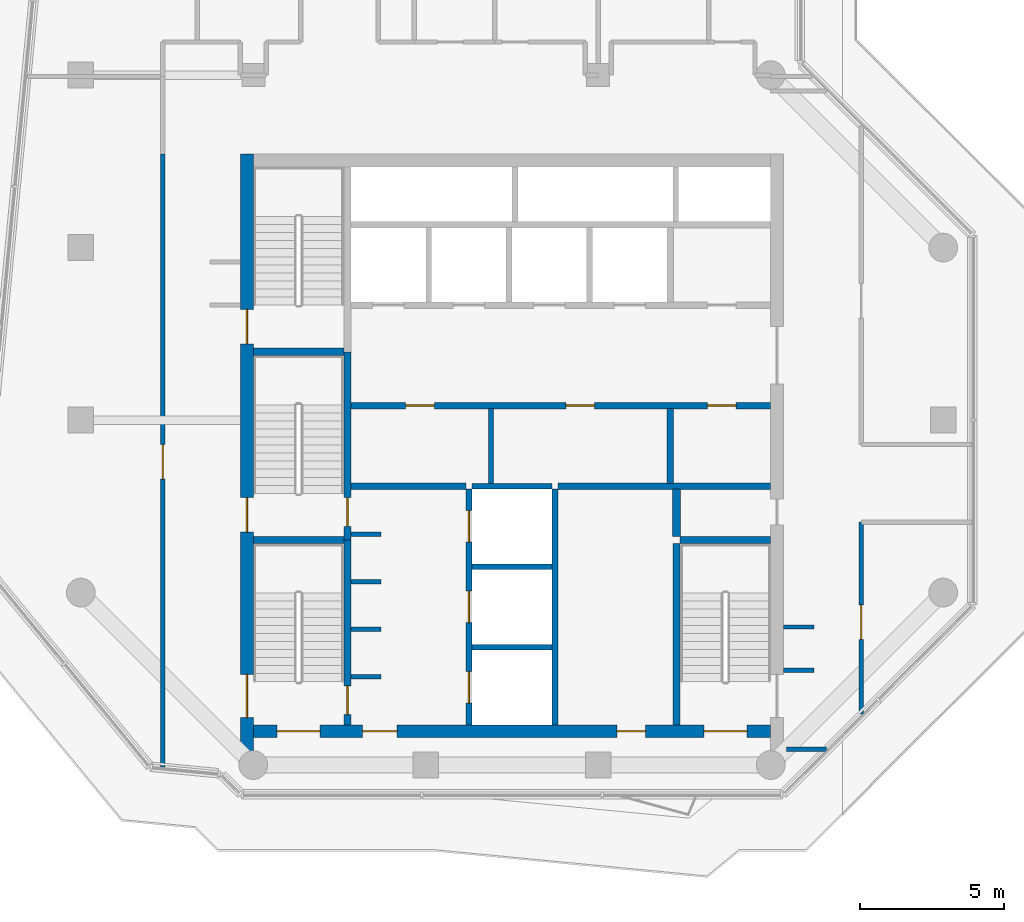
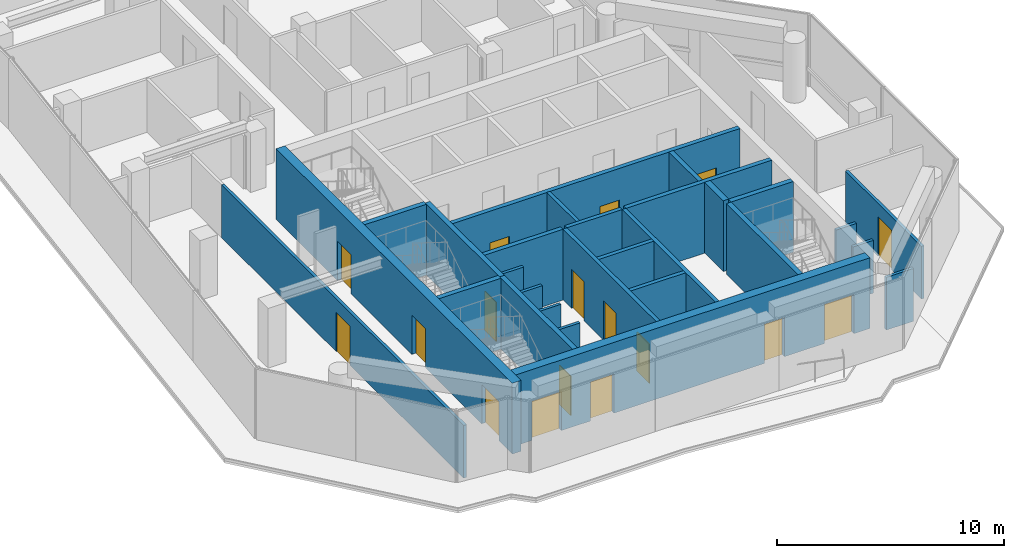
# One storey, part 9 of 13: 28 walls, 17 doors, 17 openings.
"""IFC4 building model written with IfcOpenShell, lengths in metres."""

from ifc_helpers import new_model, si_unit, direction, frame, frame_2d, origin, place, context, subcontext, project, spatial, rectangle, extrude, material, layer, layer_set, type_object, element, fill, save


model = new_model("IFC4")

# Units and contexts
model_context = context("Model", 3, precision=1e-05, world=origin(), true_north=direction((0.0, 1.0)))
body_context = subcontext(model_context, "Body", "Model", "MODEL_VIEW")
ifc_project = project(units=[si_unit("LENGTHUNIT", "METRE"), si_unit("AREAUNIT", "SQUARE_METRE"), si_unit("VOLUMEUNIT", "CUBIC_METRE"), si_unit("PLANEANGLEUNIT", "RADIAN"), si_unit("MASSUNIT", "GRAM", prefix="KILO")], contexts=[model_context])

# Site, building, storey
site_placement = place(None, origin())
site = spatial("IfcSite", under=ifc_project, at=site_placement, CompositionType="ELEMENT")
building_placement = place(site_placement, origin())
building = spatial("IfcBuilding", under=site, at=building_placement, Name="Welwitschia Terrace Campus", CompositionType="ELEMENT")
storey_placement = place(building_placement, frame((0.0, 0.0, 251.60009765625)))
storey = spatial("IfcBuildingStorey", under=building, at=storey_placement, Name="L56", CompositionType="ELEMENT", Elevation=251.60009765625)

# Walls
ifc_material_1 = material(Name="Concrete C32/40", Category="concrete")
ifc_layer_1 = layer(ifc_material_1, 0.175048828125)
ifc_layer_set_1 = layer_set([ifc_layer_1], Name="Concrete C32/40")
wall_type_1 = type_object("IfcWallType", Name="Core partition 175 Concrete C32/40", PredefinedType="PARTITIONING", material=ifc_layer_set_1)
wall_1_placement = place(storey_placement, frame((14.27490234375, 13.800048828125, 0.0), z_axis=(0.0, 0.0, 1.0), x_axis=(0.0, 1.0, 0.0)))
element("IfcWall", 1, at=wall_1_placement, inside=storey, type_object=wall_type_1, Name="Core partition", PredefinedType="PARTITIONING", context=body_context, shape_type="SweptSolid", body=[
    extrude(rectangle(XDim=2.599853515625, YDim=0.175048828125, at=frame_2d((1.2998046875, 0.0))), origin(), (0.0, 0.0, 1.0), 3.7998046875),
])
ifc_material_2 = material(Name="Concrete C32/40", Category="concrete")
ifc_layer_2 = layer(ifc_material_2, 0.22509765625)
ifc_layer_set_2 = layer_set([ifc_layer_2], Name="Concrete C32/40")
wall_type_2 = type_object("IfcWallType", Name="Core partition 225 Concrete C32/40", PredefinedType="PARTITIONING", material=ifc_layer_set_2)
wall_2_placement = place(storey_placement, frame((9.39990234375, 13.699951171875, 0.0), z_axis=(0.0, 0.0, 1.0), x_axis=(1.0, 0.0, 0.0)))
element("IfcWall", 2, at=wall_2_placement, inside=storey, type_object=wall_type_2, Name="Core partition", PredefinedType="PARTITIONING", context=body_context, shape_type="SweptSolid", body=[
    extrude(rectangle(XDim=4.0, YDim=0.22509765625, at=frame_2d((2.0, 0.0))), origin(), (0.0, 0.0, 1.0), 3.7998046875),
])
wall_3_placement = place(storey_placement, frame((16.60009765625, 13.699951171875, 0.0), z_axis=(0.0, 0.0, 1.0), x_axis=(1.0, 0.0, 0.0)))
element("IfcWall", 3, at=wall_3_placement, inside=storey, type_object=wall_type_2, Name="Core partition", PredefinedType="PARTITIONING", context=body_context, shape_type="SweptSolid", body=[
    extrude(rectangle(XDim=7.39990234375, YDim=0.22509765625, at=frame_2d((3.699951171875, 0.0))), origin(), (0.0, 0.0, 1.0), 3.7998046875),
])

# Wall, openings, doors
wall_4_placement = place(storey_placement, frame((9.39990234375, 16.5, 0.0), z_axis=(0.0, 0.0, 1.0), x_axis=(1.0, 0.0, 0.0)))
wall_4 = element("IfcWall", 4, at=wall_4_placement, inside=storey, type_object=wall_type_2, Name="Core partition", PredefinedType="PARTITIONING", context=body_context, shape_type="SweptSolid", body=[
    extrude(rectangle(XDim=14.60009765625, YDim=0.22509765625, at=frame_2d((7.300048828125, 0.0))), origin(), (0.0, 0.0, 1.0), 3.7998046875),
])
opening_1_placement = place(wall_4_placement, frame((1.89990234375, 0.0, 0.0)))
opening_1 = element("IfcOpeningElement", 5, at=opening_1_placement, cuts=wall_4, Name="Opening DR10", PredefinedType="OPENING", context=body_context, shape_type="SweptSolid", body=[
    extrude(rectangle(XDim=1.0, YDim=2.10009765625, at=frame_2d((0.5, 1.050048828125))), frame((0.0, 0.12255859375, 0.0), z_axis=(0.0, -1.0, 0.0), x_axis=(1.0, 0.0, 0.0)), (0.0, 0.0, 1.0), 0.2451171875),
])
opening_2_placement = place(wall_4_placement, frame((7.47509765625, 0.0, 0.0)))
opening_2 = element("IfcOpeningElement", 6, at=opening_2_placement, cuts=wall_4, Name="Opening DR10", PredefinedType="OPENING", context=body_context, shape_type="SweptSolid", body=[
    extrude(rectangle(XDim=1.0, YDim=2.10009765625, at=frame_2d((0.5, 1.050048828125))), frame((0.0, 0.12255859375, 0.0), z_axis=(0.0, -1.0, 0.0), x_axis=(1.0, 0.0, 0.0)), (0.0, 0.0, 1.0), 0.2451171875),
])
opening_3_placement = place(wall_4_placement, frame((12.39990234375, 0.0, 0.0)))
opening_3 = element("IfcOpeningElement", 7, at=opening_3_placement, cuts=wall_4, Name="Opening DR10", PredefinedType="OPENING", context=body_context, shape_type="SweptSolid", body=[
    extrude(rectangle(XDim=1.0, YDim=2.10009765625, at=frame_2d((0.5, 1.050048828125))), frame((0.0, 0.12255859375, 0.0), z_axis=(0.0, -1.0, 0.0), x_axis=(1.0, 0.0, 0.0)), (0.0, 0.0, 1.0), 0.2451171875),
])
ifc_material_3 = material(Name="Steel S275", Category="steel")
door_type_1 = type_object("IfcDoorType", Name="Core door DR10", OperationType="SINGLE_SWING_LEFT", PredefinedType="DOOR", material=ifc_material_3)
door_1_placement = place(opening_1_placement, origin())
door_1 = element("IfcDoor", 8, at=door_1_placement, inside=storey, type_object=door_type_1, Name="Door BAYL1-D", OperationType="SINGLE_SWING_LEFT", OverallHeight=2.10009765625, OverallWidth=1.0, PredefinedType="DOOR", context=body_context, shape_type="SweptSolid", body=[
    extrude(rectangle(XDim=1.0, YDim=2.10009765625, at=frame_2d((0.5, 1.050048828125))), frame((0.0, 0.02490234375, 0.0), z_axis=(0.0, -1.0, 0.0), x_axis=(1.0, 0.0, 0.0)), (0.0, 0.0, 1.0), 0.050048828125),
])
fill(opening_1, door_1)
door_2_placement = place(opening_2_placement, origin())
door_2 = element("IfcDoor", 9, at=door_2_placement, inside=storey, type_object=door_type_1, Name="Door BAYL2-D", OperationType="SINGLE_SWING_RIGHT", OverallHeight=2.10009765625, OverallWidth=1.0, PredefinedType="DOOR", context=body_context, shape_type="SweptSolid", body=[
    extrude(rectangle(XDim=1.0, YDim=2.10009765625, at=frame_2d((0.5, 1.050048828125))), frame((0.0, 0.02490234375, 0.0), z_axis=(0.0, -1.0, 0.0), x_axis=(1.0, 0.0, 0.0)), (0.0, 0.0, 1.0), 0.050048828125),
])
fill(opening_2, door_2)
door_3_placement = place(opening_3_placement, origin())
door_3 = element("IfcDoor", 10, at=door_3_placement, inside=storey, type_object=door_type_1, Name="Door EL-D", OperationType="SINGLE_SWING_RIGHT", OverallHeight=2.10009765625, OverallWidth=1.0, PredefinedType="DOOR", context=body_context, shape_type="SweptSolid", body=[
    extrude(rectangle(XDim=1.0, YDim=2.10009765625, at=frame_2d((0.5, 1.050048828125))), frame((0.0, 0.02490234375, 0.0), z_axis=(0.0, -1.0, 0.0), x_axis=(1.0, 0.0, 0.0)), (0.0, 0.0, 1.0), 0.050048828125),
])
fill(opening_3, door_3)

# Walls
wall_5_placement = place(storey_placement, frame((20.5, 13.800048828125, 0.0), z_axis=(0.0, 0.0, 1.0), x_axis=(0.0, 1.0, 0.0)))
element("IfcWall", 11, at=wall_5_placement, inside=storey, type_object=wall_type_2, Name="Core partition", PredefinedType="PARTITIONING", context=body_context, shape_type="SweptSolid", body=[
    extrude(rectangle(XDim=2.599853515625, YDim=0.22509765625, at=frame_2d((1.2998046875, 0.0))), origin(), (0.0, 0.0, 1.0), 3.7998046875),
])
ifc_material_4 = material(Name="Concrete C32/40", Category="concrete")
ifc_layer_3 = layer(ifc_material_4, 0.27490234375)
ifc_layer_set_3 = layer_set([ifc_layer_3], Name="Concrete C32/40")
wall_type_3 = type_object("IfcWallType", Name="Core partition 275 Concrete C32/40", PredefinedType="PARTITIONING", material=ifc_layer_set_3)
wall_6_placement = place(storey_placement, frame((20.72509765625, 11.949951171875, 0.0), z_axis=(0.0, 0.0, 1.0), x_axis=(0.0, 1.0, 0.0)))
element("IfcWall", 12, at=wall_6_placement, inside=storey, type_object=wall_type_3, Name="Core partition", PredefinedType="PARTITIONING", context=body_context, shape_type="SweptSolid", body=[
    extrude(rectangle(XDim=1.650146484375, YDim=0.27490234375, at=frame_2d((0.8251953125, 0.0))), origin(), (0.0, 0.0, 1.0), 3.7998046875),
])
ifc_material_5 = material(Name="Concrete C50/60", Category="concrete")
ifc_layer_4 = layer(ifc_material_5, 0.14990234375)
ifc_layer_set_4 = layer_set([ifc_layer_4], Name="Concrete C50/60")
wall_type_4 = type_object("IfcWallType", Name="Core wall 150 Concrete C50/60", PredefinedType="SHEAR", material=ifc_layer_set_4)
for number, where, z_axis, x_axis, name in (
    (13, (9.39990234375, 7.074951171875, 0.0), (0.0, 0.0, 1.0), (1.0, 0.0, 0.0), "Core wall"),
    (14, (9.39990234375, 8.72509765625, 0.0), (0.0, 0.0, 1.0), (1.0, 0.0, 0.0), "Core wall"),
    (15, (9.39990234375, 10.375, 0.0), (0.0, 0.0, 1.0), (1.0, 0.0, 0.0), "Core wall"),
    (16, (9.39990234375, 12.02490234375, 0.0), (0.0, 0.0, 1.0), (1.0, 0.0, 0.0), "Core wall"),
):
    element("IfcWall", number, at=place(storey_placement, frame(where, z_axis=z_axis, x_axis=x_axis)), inside=storey, type_object=wall_type_4, Name=name, PredefinedType="SHEAR", context=body_context, shape_type="SweptSolid", body=[
        extrude(rectangle(XDim=1.050048828125, YDim=0.14990234375, at=frame_2d((0.52490234375, 0.0))), origin(), (0.0, 0.0, 1.0), 3.7998046875),
    ])
ifc_material_6 = material(Name="Concrete C50/60", Category="concrete")
ifc_layer_5 = layer(ifc_material_6, 0.199951171875)
ifc_layer_set_5 = layer_set([ifc_layer_5], Name="Concrete C50/60")
wall_type_5 = type_object("IfcWallType", Name="Core wall 200 Concrete C50/60", PredefinedType="SHEAR", material=ifc_layer_set_5)
for number, where, z_axis, x_axis, name in (
    (17, (13.60009765625, 8.10009765625, 0.0), (0.0, 0.0, 1.0), (1.0, 0.0, 0.0), "Core wall"),
    (18, (13.60009765625, 10.89990234375, 0.0), (0.0, 0.0, 1.0), (1.0, 0.0, 0.0), "Core wall"),
    (19, (13.60009765625, 13.699951171875, 0.0), (0.0, 0.0, 1.0), (1.0, 0.0, 0.0), "Core wall"),
):
    element("IfcWall", number, at=place(storey_placement, frame(where, z_axis=z_axis, x_axis=x_axis)), inside=storey, type_object=wall_type_5, Name=name, PredefinedType="SHEAR", context=body_context, shape_type="SweptSolid", body=[
        extrude(rectangle(XDim=2.7998046875, YDim=0.199951171875, at=frame_2d((1.39990234375, 0.0))), origin(), (0.0, 0.0, 1.0), 3.7998046875),
    ])

# Wall, openings, doors
wall_7_placement = place(storey_placement, frame((13.5, 5.39990234375, 0.0), z_axis=(0.0, 0.0, 1.0), x_axis=(0.0, 1.0, 0.0)))
wall_7 = element("IfcWall", 20, at=wall_7_placement, inside=storey, type_object=wall_type_5, Name="Core wall", PredefinedType="SHEAR", context=body_context, shape_type="SweptSolid", body=[
    extrude(rectangle(XDim=8.2001953125, YDim=0.199951171875, at=frame_2d((4.10009765625, 0.0))), origin(), (0.0, 0.0, 1.0), 3.7998046875),
])
opening_4_placement = place(wall_7_placement, frame((0.75, 0.0, 0.0)))
opening_4 = element("IfcOpeningElement", 21, at=opening_4_placement, cuts=wall_7, Name="Opening LD", PredefinedType="OPENING", context=body_context, shape_type="SweptSolid", body=[
    extrude(rectangle(XDim=1.10009765625, YDim=2.10009765625, at=frame_2d((0.550048828125, 1.050048828125))), frame((0.0, 0.10986328125, 0.0), z_axis=(0.0, -1.0, 0.0), x_axis=(1.0, 0.0, 0.0)), (0.0, 0.0, 1.0), 0.219970703125),
])
opening_5_placement = place(wall_7_placement, frame((3.550048828125, 0.0, 0.0)))
opening_5 = element("IfcOpeningElement", 22, at=opening_5_placement, cuts=wall_7, Name="Opening LD", PredefinedType="OPENING", context=body_context, shape_type="SweptSolid", body=[
    extrude(rectangle(XDim=1.10009765625, YDim=2.10009765625, at=frame_2d((0.550048828125, 1.050048828125))), frame((0.0, 0.10986328125, 0.0), z_axis=(0.0, -1.0, 0.0), x_axis=(1.0, 0.0, 0.0)), (0.0, 0.0, 1.0), 0.219970703125),
])
opening_6_placement = place(wall_7_placement, frame((6.35009765625, 0.0, 0.0)))
opening_6 = element("IfcOpeningElement", 23, at=opening_6_placement, cuts=wall_7, Name="Opening LD", PredefinedType="OPENING", context=body_context, shape_type="SweptSolid", body=[
    extrude(rectangle(XDim=1.10009765625, YDim=2.10009765625, at=frame_2d((0.550048828125, 1.050048828125))), frame((0.0, 0.10986328125, 0.0), z_axis=(0.0, -1.0, 0.0), x_axis=(1.0, 0.0, 0.0)), (0.0, 0.0, 1.0), 0.219970703125),
])
ifc_material_7 = material(Name="Stainless steel 304", Category="steel")
door_type_2 = type_object("IfcDoorType", Name="Lift landing door", OperationType="DOUBLE_DOOR_SLIDING", PredefinedType="DOOR", material=ifc_material_7)
door_4_placement = place(opening_4_placement, origin())
door_4 = element("IfcDoor", 24, at=door_4_placement, inside=storey, type_object=door_type_2, Name="Landing door FF1", OperationType="DOUBLE_DOOR_SLIDING", OverallHeight=2.10009765625, OverallWidth=1.10009765625, PredefinedType="DOOR", context=body_context, shape_type="SweptSolid", body=[
    extrude(rectangle(XDim=1.10009765625, YDim=2.10009765625, at=frame_2d((0.550048828125, 1.050048828125))), frame((0.0, 0.02490234375, 0.0), z_axis=(0.0, -1.0, 0.0), x_axis=(1.0, 0.0, 0.0)), (0.0, 0.0, 1.0), 0.050048828125),
])
fill(opening_4, door_4)
door_5_placement = place(opening_5_placement, origin())
door_5 = element("IfcDoor", 25, at=door_5_placement, inside=storey, type_object=door_type_2, Name="Landing door FF2", OperationType="DOUBLE_DOOR_SLIDING", OverallHeight=2.10009765625, OverallWidth=1.10009765625, PredefinedType="DOOR", context=body_context, shape_type="SweptSolid", body=[
    extrude(rectangle(XDim=1.10009765625, YDim=2.10009765625, at=frame_2d((0.550048828125, 1.050048828125))), frame((0.0, 0.02490234375, 0.0), z_axis=(0.0, -1.0, 0.0), x_axis=(1.0, 0.0, 0.0)), (0.0, 0.0, 1.0), 0.050048828125),
])
fill(opening_5, door_5)
door_6_placement = place(opening_6_placement, origin())
door_6 = element("IfcDoor", 26, at=door_6_placement, inside=storey, type_object=door_type_2, Name="Landing door SV1", OperationType="DOUBLE_DOOR_SLIDING", OverallHeight=2.10009765625, OverallWidth=1.10009765625, PredefinedType="DOOR", context=body_context, shape_type="SweptSolid", body=[
    extrude(rectangle(XDim=1.10009765625, YDim=2.10009765625, at=frame_2d((0.550048828125, 1.050048828125))), frame((0.0, 0.02490234375, 0.0), z_axis=(0.0, -1.0, 0.0), x_axis=(1.0, 0.0, 0.0)), (0.0, 0.0, 1.0), 0.050048828125),
])
fill(opening_6, door_6)

# Walls
wall_8_placement = place(storey_placement, frame((16.5, 5.39990234375, 0.0), z_axis=(0.0, 0.0, 1.0), x_axis=(0.0, 1.0, 0.0)))
element("IfcWall", 27, at=wall_8_placement, inside=storey, type_object=wall_type_5, Name="Core wall", PredefinedType="SHEAR", context=body_context, shape_type="SweptSolid", body=[
    extrude(rectangle(XDim=8.2001953125, YDim=0.199951171875, at=frame_2d((4.10009765625, 0.0))), origin(), (0.0, 0.0, 1.0), 3.7998046875),
])
ifc_material_8 = material(Name="Concrete C50/60", Category="concrete")
ifc_layer_6 = layer(ifc_material_8, 0.25)
ifc_layer_set_6 = layer_set([ifc_layer_6], Name="Concrete C50/60")
wall_type_6 = type_object("IfcWallType", Name="Core wall 250 Concrete C50/60", PredefinedType="SHEAR", material=ifc_layer_set_6)
for number, where, z_axis, x_axis, name in (
    (28, (6.0, 11.824951171875, 0.0), (0.0, 0.0, 1.0), (1.0, 0.0, 0.0), "Core wall"),
    (29, (20.85009765625, 11.824951171875, 0.0), (0.0, 0.0, 1.0), (1.0, 0.0, 0.0), "Core wall"),
    (30, (6.0, 18.375, 0.0), (0.0, 0.0, 1.0), (1.0, 0.0, 0.0), "Core wall"),
):
    element("IfcWall", number, at=place(storey_placement, frame(where, z_axis=z_axis, x_axis=x_axis)), inside=storey, type_object=wall_type_6, Name=name, PredefinedType="SHEAR", context=body_context, shape_type="SweptSolid", body=[
        extrude(rectangle(XDim=3.14990234375, YDim=0.25, at=frame_2d((1.574951171875, 0.0))), origin(), (0.0, 0.0, 1.0), 3.7998046875),
    ])

# Wall, opening, door
wall_9_placement = place(storey_placement, frame((9.27490234375, 11.824951171875, 0.0), z_axis=(0.0, 0.0, 1.0), x_axis=(0.0, -1.0, 0.0)))
wall_9 = element("IfcWall", 31, at=wall_9_placement, inside=storey, type_object=wall_type_6, Name="Core wall", PredefinedType="SHEAR", context=body_context, shape_type="SweptSolid", body=[
    extrude(rectangle(XDim=6.425048828125, YDim=0.25, at=frame_2d((3.21240234375, 0.0))), origin(), (0.0, 0.0, 1.0), 3.7998046875),
])
opening_7_placement = place(wall_9_placement, frame((5.074951171875, 0.0, 0.0)))
opening_7 = element("IfcOpeningElement", 32, at=opening_7_placement, cuts=wall_9, Name="Opening DS10", PredefinedType="OPENING", context=body_context, shape_type="SweptSolid", body=[
    extrude(rectangle(XDim=1.0, YDim=2.10009765625, at=frame_2d((0.5, 1.050048828125))), frame((0.0, 0.135009765625, 0.0), z_axis=(0.0, -1.0, 0.0), x_axis=(1.0, 0.0, 0.0)), (0.0, 0.0, 1.0), 0.27001953125),
])
ifc_material_9 = material(Name="Steel S275", Category="steel")
door_type_3 = type_object("IfcDoorType", Name="Core door DS10", OperationType="SINGLE_SWING_LEFT", PredefinedType="DOOR", material=ifc_material_9)
door_7_placement = place(opening_7_placement, origin())
door_7 = element("IfcDoor", 33, at=door_7_placement, inside=storey, type_object=door_type_3, Name="Door S1-FL", OperationType="SINGLE_SWING_RIGHT", OverallHeight=2.10009765625, OverallWidth=1.0, PredefinedType="DOOR", context=body_context, shape_type="SweptSolid", body=[
    extrude(rectangle(XDim=1.0, YDim=2.10009765625, at=frame_2d((0.5, 1.050048828125))), frame((0.0, 0.02490234375, 0.0), z_axis=(0.0, -1.0, 0.0), x_axis=(1.0, 0.0, 0.0)), (0.0, 0.0, 1.0), 0.050048828125),
])
fill(opening_7, door_7)

wall_10_placement = place(storey_placement, frame((9.27490234375, 18.375, 0.0), z_axis=(0.0, 0.0, 1.0), x_axis=(0.0, -1.0, 0.0)))
wall_10 = element("IfcWall", 34, at=wall_10_placement, inside=storey, type_object=wall_type_6, Name="Core wall", PredefinedType="SHEAR", context=body_context, shape_type="SweptSolid", body=[
    extrude(rectangle(XDim=6.550048828125, YDim=0.25, at=frame_2d((3.27490234375, 0.0))), origin(), (0.0, 0.0, 1.0), 3.7998046875),
])
opening_8_placement = place(wall_10_placement, frame((5.074951171875, 0.0, 0.0)))
opening_8 = element("IfcOpeningElement", 35, at=opening_8_placement, cuts=wall_10, Name="Opening DS10", PredefinedType="OPENING", context=body_context, shape_type="SweptSolid", body=[
    extrude(rectangle(XDim=1.0, YDim=2.10009765625, at=frame_2d((0.5, 1.050048828125))), frame((0.0, 0.135009765625, 0.0), z_axis=(0.0, -1.0, 0.0), x_axis=(1.0, 0.0, 0.0)), (0.0, 0.0, 1.0), 0.27001953125),
])
door_8_placement = place(opening_8_placement, origin())
door_8 = element("IfcDoor", 36, at=door_8_placement, inside=storey, type_object=door_type_3, Name="Door S3-FL", OperationType="SINGLE_SWING_RIGHT", OverallHeight=2.10009765625, OverallWidth=1.0, PredefinedType="DOOR", context=body_context, shape_type="SweptSolid", body=[
    extrude(rectangle(XDim=1.0, YDim=2.10009765625, at=frame_2d((0.5, 1.050048828125))), frame((0.0, 0.02490234375, 0.0), z_axis=(0.0, -1.0, 0.0), x_axis=(1.0, 0.0, 0.0)), (0.0, 0.0, 1.0), 0.050048828125),
])
fill(opening_8, door_8)

# Wall
wall_11_placement = place(storey_placement, frame((20.72509765625, 5.39990234375, 0.0), z_axis=(0.0, 0.0, 1.0), x_axis=(0.0, 1.0, 0.0)))
element("IfcWall", 37, at=wall_11_placement, inside=storey, type_object=wall_type_6, Name="Core wall", PredefinedType="SHEAR", context=body_context, shape_type="SweptSolid", body=[
    extrude(rectangle(XDim=6.300048828125, YDim=0.25, at=frame_2d((3.14990234375, 0.0))), origin(), (0.0, 0.0, 1.0), 3.7998046875),
])

# Wall, openings, doors
ifc_material_10 = material(Name="Concrete C60/75", Category="concrete")
ifc_layer_7 = layer(ifc_material_10, 0.449951171875)
ifc_layer_set_7 = layer_set([ifc_layer_7], Name="Concrete C60/75")
wall_type_7 = type_object("IfcWallType", Name="Core wall 450 Concrete C60/75", PredefinedType="SHEAR", material=ifc_layer_set_7)
wall_12_placement = place(storey_placement, frame((5.77490234375, 4.469970703125, 0.0), z_axis=(0.0, 0.0, 1.0), x_axis=(0.0, 1.0, 0.0)))
wall_12 = element("IfcWall", 38, at=wall_12_placement, inside=storey, type_object=wall_type_7, Name="Core outer wall", PredefinedType="SHEAR", context=body_context, shape_type="SweptSolid", body=[
    extrude(rectangle(XDim=20.780029296875, YDim=0.449951171875, at=frame_2d((10.39013671875, 0.0))), origin(), (0.0, 0.0, 1.0), 3.7998046875),
])
opening_9_placement = place(wall_12_placement, frame((1.179931640625, 0.0, 0.0)))
opening_9 = element("IfcOpeningElement", 39, at=opening_9_placement, cuts=wall_12, Name="Opening DS15", PredefinedType="OPENING", context=body_context, shape_type="SweptSolid", body=[
    extrude(rectangle(XDim=1.5, YDim=2.10009765625, at=frame_2d((0.75, 1.050048828125))), frame((0.0, 0.23486328125, 0.0), z_axis=(0.0, -1.0, 0.0), x_axis=(1.0, 0.0, 0.0)), (0.0, 0.0, 1.0), 0.469970703125),
])
opening_10_placement = place(wall_12_placement, frame((7.6298828125, 0.0, 0.0)))
opening_10 = element("IfcOpeningElement", 40, at=opening_10_placement, cuts=wall_12, Name="Opening DS12", PredefinedType="OPENING", context=body_context, shape_type="SweptSolid", body=[
    extrude(rectangle(XDim=1.199951171875, YDim=2.10009765625, at=frame_2d((0.60009765625, 1.050048828125))), frame((0.0, 0.23486328125, 0.0), z_axis=(0.0, -1.0, 0.0), x_axis=(1.0, 0.0, 0.0)), (0.0, 0.0, 1.0), 0.469970703125),
])
opening_11_placement = place(wall_12_placement, frame((14.179931640625, 0.0, 0.0)))
opening_11 = element("IfcOpeningElement", 41, at=opening_11_placement, cuts=wall_12, Name="Opening DS12", PredefinedType="OPENING", context=body_context, shape_type="SweptSolid", body=[
    extrude(rectangle(XDim=1.199951171875, YDim=2.10009765625, at=frame_2d((0.60009765625, 1.050048828125))), frame((0.0, 0.23486328125, 0.0), z_axis=(0.0, -1.0, 0.0), x_axis=(1.0, 0.0, 0.0)), (0.0, 0.0, 1.0), 0.469970703125),
])
ifc_material_11 = material(Name="Steel S275", Category="steel")
door_type_4 = type_object("IfcDoorType", Name="Core door DS12", OperationType="SINGLE_SWING_LEFT", PredefinedType="DOOR", material=ifc_material_11)
door_9_placement = place(opening_10_placement, origin())
door_9 = element("IfcDoor", 42, at=door_9_placement, inside=storey, type_object=door_type_4, Name="Door S3-out", OperationType="SINGLE_SWING_LEFT", OverallHeight=2.10009765625, OverallWidth=1.199951171875, PredefinedType="DOOR", context=body_context, shape_type="SweptSolid", body=[
    extrude(rectangle(XDim=1.199951171875, YDim=2.10009765625, at=frame_2d((0.60009765625, 1.050048828125))), frame((0.0, 0.02490234375, 0.0), z_axis=(0.0, -1.0, 0.0), x_axis=(1.0, 0.0, 0.0)), (0.0, 0.0, 1.0), 0.050048828125),
])
fill(opening_10, door_9)
door_10_placement = place(opening_11_placement, origin())
door_10 = element("IfcDoor", 43, at=door_10_placement, inside=storey, type_object=door_type_4, Name="Door S4-out", OperationType="SINGLE_SWING_RIGHT", OverallHeight=2.10009765625, OverallWidth=1.199951171875, PredefinedType="DOOR", context=body_context, shape_type="SweptSolid", body=[
    extrude(rectangle(XDim=1.199951171875, YDim=2.10009765625, at=frame_2d((0.60009765625, 1.050048828125))), frame((0.0, 0.02490234375, 0.0), z_axis=(0.0, -1.0, 0.0), x_axis=(1.0, 0.0, 0.0)), (0.0, 0.0, 1.0), 0.050048828125),
])
fill(opening_11, door_10)
ifc_material_12 = material(Name="Steel S275", Category="steel")
door_type_5 = type_object("IfcDoorType", Name="Core door DS15", OperationType="DOUBLE_DOOR_SINGLE_SWING", PredefinedType="DOOR", material=ifc_material_12)
door_11_placement = place(opening_9_placement, origin())
door_11 = element("IfcDoor", 44, at=door_11_placement, inside=storey, type_object=door_type_5, Name="Door S1-out", OperationType="DOUBLE_DOOR_SINGLE_SWING", OverallHeight=2.10009765625, OverallWidth=1.5, PredefinedType="DOOR", context=body_context, shape_type="SweptSolid", body=[
    extrude(rectangle(XDim=1.5, YDim=2.10009765625, at=frame_2d((0.75, 1.050048828125))), frame((0.0, 0.02490234375, 0.0), z_axis=(0.0, -1.0, 0.0), x_axis=(1.0, 0.0, 0.0)), (0.0, 0.0, 1.0), 0.050048828125),
])
fill(opening_9, door_11)

wall_13_placement = place(storey_placement, frame((24.0, 5.175048828125, 0.0), z_axis=(0.0, 0.0, 1.0), x_axis=(-1.0, 0.0, 0.0)))
wall_13 = element("IfcWall", 45, at=wall_13_placement, inside=storey, type_object=wall_type_7, Name="Core outer wall", PredefinedType="SHEAR", context=body_context, shape_type="SweptSolid", body=[
    extrude(rectangle(XDim=18.0, YDim=0.449951171875, at=frame_2d((9.0, 0.0))), origin(), (0.0, 0.0, 1.0), 3.7998046875),
])
opening_12_placement = place(wall_13_placement, frame((0.824951171875, 0.0, 0.0)))
opening_12 = element("IfcOpeningElement", 46, at=opening_12_placement, cuts=wall_13, Name="Opening DS15", PredefinedType="OPENING", context=body_context, shape_type="SweptSolid", body=[
    extrude(rectangle(XDim=1.5, YDim=2.10009765625, at=frame_2d((0.75, 1.050048828125))), frame((0.0, 0.23486328125, 0.0), z_axis=(0.0, -1.0, 0.0), x_axis=(1.0, 0.0, 0.0)), (0.0, 0.0, 1.0), 0.469970703125),
])
opening_13_placement = place(wall_13_placement, frame((15.675048828125, 0.0, 0.0)))
opening_13 = element("IfcOpeningElement", 47, at=opening_13_placement, cuts=wall_13, Name="Opening DS15", PredefinedType="OPENING", context=body_context, shape_type="SweptSolid", body=[
    extrude(rectangle(XDim=1.5, YDim=2.10009765625, at=frame_2d((0.75, 1.050048828125))), frame((0.0, 0.23486328125, 0.0), z_axis=(0.0, -1.0, 0.0), x_axis=(1.0, 0.0, 0.0)), (0.0, 0.0, 1.0), 0.469970703125),
])
opening_14_placement = place(wall_13_placement, frame((13.0, 0.0, 0.0)))
opening_14 = element("IfcOpeningElement", 48, at=opening_14_placement, cuts=wall_13, Name="Opening DF12", PredefinedType="OPENING", context=body_context, shape_type="SweptSolid", body=[
    extrude(rectangle(XDim=1.199951171875, YDim=2.10009765625, at=frame_2d((0.60009765625, 1.050048828125))), frame((0.0, 0.23486328125, 0.0), z_axis=(0.0, -1.0, 0.0), x_axis=(1.0, 0.0, 0.0)), (0.0, 0.0, 1.0), 0.469970703125),
])
opening_15_placement = place(wall_13_placement, frame((4.35009765625, 0.0, 0.0)))
opening_15 = element("IfcOpeningElement", 49, at=opening_15_placement, cuts=wall_13, Name="Opening DR10", PredefinedType="OPENING", context=body_context, shape_type="SweptSolid", body=[
    extrude(rectangle(XDim=1.0, YDim=2.10009765625, at=frame_2d((0.5, 1.050048828125))), frame((0.0, 0.23486328125, 0.0), z_axis=(0.0, -1.0, 0.0), x_axis=(1.0, 0.0, 0.0)), (0.0, 0.0, 1.0), 0.469970703125),
])
ifc_material_13 = material(Name="Steel S275", Category="steel")
door_type_6 = type_object("IfcDoorType", Name="Core door DF12", OperationType="SINGLE_SWING_LEFT", PredefinedType="DOOR", material=ifc_material_13)
door_12_placement = place(opening_14_placement, origin())
door_12 = element("IfcDoor", 50, at=door_12_placement, inside=storey, type_object=door_type_6, Name="Door FL-out", OperationType="SINGLE_SWING_RIGHT", OverallHeight=2.10009765625, OverallWidth=1.199951171875, PredefinedType="DOOR", context=body_context, shape_type="SweptSolid", body=[
    extrude(rectangle(XDim=1.199951171875, YDim=2.10009765625, at=frame_2d((0.60009765625, 1.050048828125))), frame((0.0, 0.02490234375, 0.0), z_axis=(0.0, -1.0, 0.0), x_axis=(1.0, 0.0, 0.0)), (0.0, 0.0, 1.0), 0.050048828125),
])
fill(opening_14, door_12)
door_13_placement = place(opening_15_placement, origin())
door_13 = element("IfcDoor", 51, at=door_13_placement, inside=storey, type_object=door_type_1, Name="Door F1-out", OperationType="SINGLE_SWING_LEFT", OverallHeight=2.10009765625, OverallWidth=1.0, PredefinedType="DOOR", context=body_context, shape_type="SweptSolid", body=[
    extrude(rectangle(XDim=1.0, YDim=2.10009765625, at=frame_2d((0.5, 1.050048828125))), frame((0.0, 0.02490234375, 0.0), z_axis=(0.0, -1.0, 0.0), x_axis=(1.0, 0.0, 0.0)), (0.0, 0.0, 1.0), 0.050048828125),
])
fill(opening_15, door_13)
door_14_placement = place(opening_12_placement, origin())
door_14 = element("IfcDoor", 52, at=door_14_placement, inside=storey, type_object=door_type_5, Name="Door S2-outS", OperationType="DOUBLE_DOOR_SINGLE_SWING", OverallHeight=2.10009765625, OverallWidth=1.5, PredefinedType="DOOR", context=body_context, shape_type="SweptSolid", body=[
    extrude(rectangle(XDim=1.5, YDim=2.10009765625, at=frame_2d((0.75, 1.050048828125))), frame((0.0, 0.02490234375, 0.0), z_axis=(0.0, -1.0, 0.0), x_axis=(1.0, 0.0, 0.0)), (0.0, 0.0, 1.0), 0.050048828125),
])
fill(opening_12, door_14)
door_15_placement = place(opening_13_placement, origin())
door_15 = element("IfcDoor", 53, at=door_15_placement, inside=storey, type_object=door_type_5, Name="Door S1-outS", OperationType="DOUBLE_DOOR_SINGLE_SWING", OverallHeight=2.10009765625, OverallWidth=1.5, PredefinedType="DOOR", context=body_context, shape_type="SweptSolid", body=[
    extrude(rectangle(XDim=1.5, YDim=2.10009765625, at=frame_2d((0.75, 1.050048828125))), frame((0.0, 0.02490234375, 0.0), z_axis=(0.0, -1.0, 0.0), x_axis=(1.0, 0.0, 0.0)), (0.0, 0.0, 1.0), 0.050048828125),
])
fill(opening_13, door_15)

# Wall, opening, door
ifc_material_14 = material(Name="Gypsum board on steel studs", Category="steel")
ifc_layer_8 = layer(ifc_material_14, 0.14990234375)
ifc_layer_set_8 = layer_set([ifc_layer_8], Name="Gypsum board on steel studs")
wall_type_8 = type_object("IfcWallType", Name="Corridor partition 150 EI 30", PredefinedType="PARTITIONING", material=ifc_layer_set_8)
wall_14_placement = place(storey_placement, frame((2.85009765625, 3.93994140625, 0.0), z_axis=(0.0, 0.0, 1.0), x_axis=(0.0, 1.0, 0.0)))
wall_14 = element("IfcWall", 54, at=wall_14_placement, inside=storey, type_object=wall_type_8, Name="Partition", PredefinedType="PARTITIONING", context=body_context, shape_type="SweptSolid", body=[
    extrude(rectangle(XDim=21.31005859375, YDim=0.14990234375, at=frame_2d((10.655029296875, 0.0))), origin(), (0.0, 0.0, 1.0), 2.829833984375),
])
opening_16_placement = place(wall_14_placement, frame((10.010009765625, 0.0, 0.0)))
opening_16 = element("IfcOpeningElement", 55, at=opening_16_placement, cuts=wall_14, Name="Opening DX12", PredefinedType="OPENING", context=body_context, shape_type="SweptSolid", body=[
    extrude(rectangle(XDim=1.199951171875, YDim=2.10009765625, at=frame_2d((0.60009765625, 1.050048828125))), frame((0.0, 0.0849609375, 0.0), z_axis=(0.0, -1.0, 0.0), x_axis=(1.0, 0.0, 0.0)), (0.0, 0.0, 1.0), 0.169921875),
])
ifc_material_15 = material(Name="Timber veneered door", Category="wood")
door_type_7 = type_object("IfcDoorType", Name="Interior door DX12", OperationType="NOTDEFINED", PredefinedType="DOOR", material=ifc_material_15)
door_16_placement = place(opening_16_placement, origin())
door_16 = element("IfcDoor", 56, at=door_16_placement, inside=storey, type_object=door_type_7, Name="Door L56 1017", OperationType="SINGLE_SWING_RIGHT", OverallHeight=2.10009765625, OverallWidth=1.199951171875, PredefinedType="DOOR", context=body_context, shape_type="SweptSolid", body=[
    extrude(rectangle(XDim=1.199951171875, YDim=2.10009765625, at=frame_2d((0.60009765625, 1.050048828125))), frame((0.0, 0.02490234375, 0.0), z_axis=(0.0, -1.0, 0.0), x_axis=(1.0, 0.0, 0.0)), (0.0, 0.0, 1.0), 0.050048828125),
])
fill(opening_16, door_16)

# Walls
for number, where, z_axis, x_axis, name in (
    (57, (24.449951171875, 7.300048828125, 0.0), (0.0, 0.0, 1.0), (1.0, 0.0, 0.0), "Partition"),
    (58, (24.449951171875, 8.800048828125, 0.0), (0.0, 0.0, 1.0), (1.0, 0.0, 0.0), "Partition"),
):
    element("IfcWall", number, at=place(storey_placement, frame(where, z_axis=z_axis, x_axis=x_axis)), inside=storey, type_object=wall_type_8, Name=name, PredefinedType="PARTITIONING", context=body_context, shape_type="SweptSolid", body=[
        extrude(rectangle(XDim=1.050048828125, YDim=0.14990234375, at=frame_2d((0.52490234375, 0.0))), origin(), (0.0, 0.0, 1.0), 2.829833984375),
    ])
wall_15_placement = place(storey_placement, frame((24.550048828125, 4.550048828125, 0.0), z_axis=(0.0, 0.0, 1.0), x_axis=(1.0, 0.0, 0.0)))
element("IfcWall", 59, at=wall_15_placement, inside=storey, type_object=wall_type_8, Name="Partition", PredefinedType="PARTITIONING", context=body_context, shape_type="SweptSolid", body=[
    extrude(rectangle(XDim=1.389892578125, YDim=0.14990234375, at=frame_2d((0.69482421875, 0.0))), origin(), (0.0, 0.0, 1.0), 2.829833984375),
])

# Wall, opening, door
wall_16_placement = place(storey_placement, frame((27.14990234375, 12.449951171875, 0.0), z_axis=(0.0, 0.0, 1.0), x_axis=(0.0, -1.0, 0.0)))
wall_16 = element("IfcWall", 60, at=wall_16_placement, inside=storey, type_object=wall_type_8, Name="Partition", PredefinedType="PARTITIONING", context=body_context, shape_type="SweptSolid", body=[
    extrude(rectangle(XDim=6.679931640625, YDim=0.14990234375, at=frame_2d((3.33984375, 0.0))), origin(), (0.0, 0.0, 1.0), 2.829833984375),
])
opening_17_placement = place(wall_16_placement, frame((2.8798828125, 0.0, 0.0)))
opening_17 = element("IfcOpeningElement", 61, at=opening_17_placement, cuts=wall_16, Name="Opening DX12", PredefinedType="OPENING", context=body_context, shape_type="SweptSolid", body=[
    extrude(rectangle(XDim=1.199951171875, YDim=2.10009765625, at=frame_2d((0.60009765625, 1.050048828125))), frame((0.0, 0.0849609375, 0.0), z_axis=(0.0, -1.0, 0.0), x_axis=(1.0, 0.0, 0.0)), (0.0, 0.0, 1.0), 0.169921875),
])
door_17_placement = place(opening_17_placement, origin())
door_17 = element("IfcDoor", 62, at=door_17_placement, inside=storey, type_object=door_type_7, Name="Door L56 1030", OperationType="SINGLE_SWING_LEFT", OverallHeight=2.10009765625, OverallWidth=1.199951171875, PredefinedType="DOOR", context=body_context, shape_type="SweptSolid", body=[
    extrude(rectangle(XDim=1.199951171875, YDim=2.10009765625, at=frame_2d((0.60009765625, 1.050048828125))), frame((0.0, 0.02490234375, 0.0), z_axis=(0.0, -1.0, 0.0), x_axis=(1.0, 0.0, 0.0)), (0.0, 0.0, 1.0), 0.050048828125),
])
fill(opening_17, door_17)

save(model, "model.ifc")
